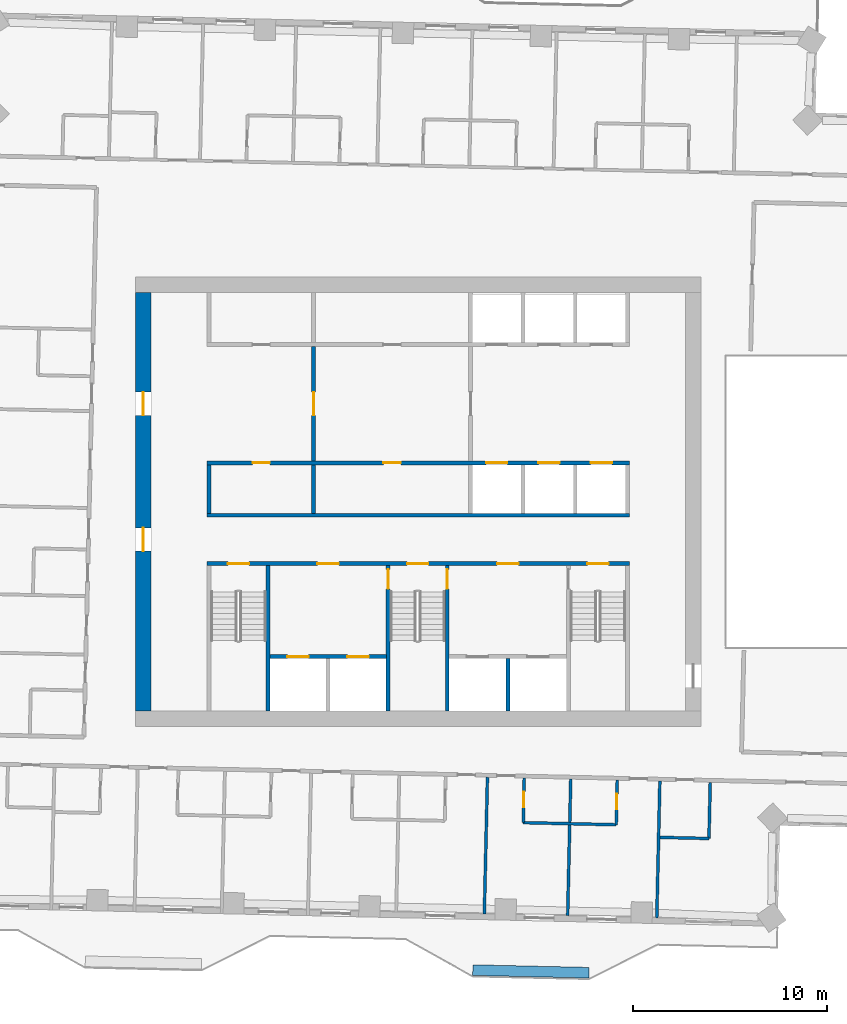
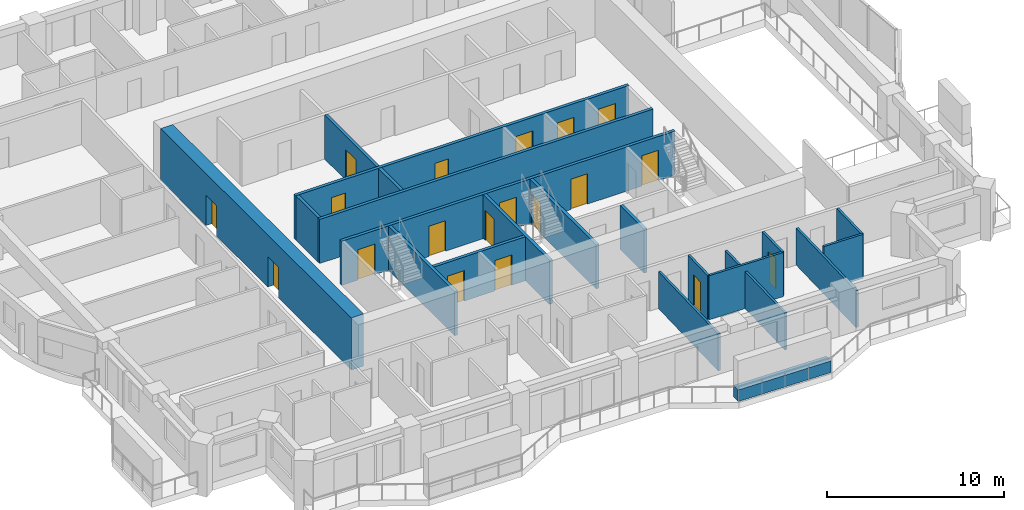
# One storey, part 6 of 14: 21 walls, 19 doors, 19 openings.
"""IFC4 building model written with IfcOpenShell, lengths in metres."""

from ifc_helpers import new_model, si_unit, direction, frame, frame_2d, origin, place, context, subcontext, project, spatial, rectangle, extrude, material, layer, layer_set, type_object, element, fill, save


model = new_model("IFC4")

# Units and contexts
model_context = context("Model", 3, precision=1e-05, world=origin(), true_north=direction((0.0, 1.0)))
body_context = subcontext(model_context, "Body", "Model", "MODEL_VIEW")
ifc_project = project(units=[si_unit("LENGTHUNIT", "METRE"), si_unit("AREAUNIT", "SQUARE_METRE"), si_unit("VOLUMEUNIT", "CUBIC_METRE"), si_unit("PLANEANGLEUNIT", "RADIAN"), si_unit("MASSUNIT", "GRAM", prefix="KILO")], contexts=[model_context])

# Site, building, storey
site_placement = place(None, origin())
site = spatial("IfcSite", under=ifc_project, at=site_placement, CompositionType="ELEMENT")
building_placement = place(site_placement, origin())
building = spatial("IfcBuilding", under=site, at=building_placement, Name="Mangrove Gate Tower", CompositionType="ELEMENT")
storey_placement = place(building_placement, frame((0.0, 0.0, 208.699951171875)))
storey = spatial("IfcBuildingStorey", under=building, at=storey_placement, Name="L53", CompositionType="ELEMENT", Elevation=208.699951171875)

# Wall, opening, door
ifc_material_1 = material(Name="Concrete C32/40", Category="concrete")
ifc_layer_1 = layer(ifc_material_1, 0.199951171875)
ifc_layer_set_1 = layer_set([ifc_layer_1], Name="Core lobby wall 200 C32/40")
wall_type_1 = type_object("IfcWallType", Name="Core lobby wall 200 C32/40", PredefinedType="STANDARD", material=ifc_layer_set_1)
wall_1_placement = place(storey_placement, frame((-5.39990234375, 2.10009765625, 0.0), z_axis=(0.0, 0.0, 1.0), x_axis=(0.0, 1.0, 0.0)))
wall_1 = element("IfcWall", 1, at=wall_1_placement, inside=storey, type_object=wall_type_1, Name="WALL-L53-CORE-31", PredefinedType="STANDARD", context=body_context, shape_type="SweptSolid", body=[
    extrude(rectangle(XDim=5.89990234375, YDim=0.199951171875, at=frame_2d((2.949951171875, 0.0))), origin(), (0.0, 0.0, 1.0), 3.050048828125),
])
opening_1_placement = place(wall_1_placement, frame((2.35009765625, 0.0, 0.0)))
opening_1 = element("IfcOpeningElement", 2, at=opening_1_placement, cuts=wall_1, Name="Opening FL12", PredefinedType="OPENING", context=body_context, shape_type="SweptSolid", body=[
    extrude(rectangle(XDim=1.199951171875, YDim=2.10009765625, at=frame_2d((0.60009765625, 1.050048828125))), frame((0.0, 0.10986328125, 0.0), z_axis=(0.0, -1.0, 0.0), x_axis=(1.0, 0.0, 0.0)), (0.0, 0.0, 1.0), 0.219970703125),
])
ifc_material_2 = material(Name="Fire-rated steel door set", Category="steel")
door_type_1 = type_object("IfcDoorType", Name="Lobby door FD60 1200x2100", OperationType="SINGLE_SWING_LEFT", PredefinedType="DOOR", material=ifc_material_2)
door_1_placement = place(opening_1_placement, origin())
door_1 = element("IfcDoor", 3, at=door_1_placement, inside=storey, type_object=door_type_1, Name="Lobby door lift lobby partition", OperationType="SINGLE_SWING_LEFT", OverallHeight=2.10009765625, OverallWidth=1.199951171875, PredefinedType="DOOR", context=body_context, shape_type="SweptSolid", body=[
    extrude(rectangle(XDim=1.199951171875, YDim=2.10009765625, at=frame_2d((0.60009765625, 1.050048828125))), frame((0.0, 0.02490234375, 0.0), z_axis=(0.0, -1.0, 0.0), x_axis=(1.0, 0.0, 0.0)), (0.0, 0.0, 1.0), 0.050048828125),
])
fill(opening_1, door_1)

# Walls
ifc_material_3 = material(Name="Concrete C32/40", Category="concrete")
ifc_layer_2 = layer(ifc_material_3, 0.199951171875)
ifc_layer_set_2 = layer_set([ifc_layer_2], Name="Core room wall 200 C32/40")
wall_type_2 = type_object("IfcWallType", Name="Core room wall 200 C32/40", PredefinedType="STANDARD", material=ifc_layer_set_2)
for number, where, z_axis, x_axis, name in (
    (4, (-10.800048828125, -0.60009765625, 0.0), (0.0, 0.0, 1.0), (0.0, 1.0, 0.0), "WALL-L53-CORE-19"),
    (5, (-5.39990234375, -0.60009765625, 0.0), (0.0, 0.0, 1.0), (0.0, 1.0, 0.0), "WALL-L53-CORE-20"),
):
    element("IfcWall", number, at=place(storey_placement, frame(where, z_axis=z_axis, x_axis=x_axis)), inside=storey, type_object=wall_type_2, Name=name, PredefinedType="STANDARD", context=body_context, shape_type="SweptSolid", body=[
        extrude(rectangle(XDim=2.5, YDim=0.199951171875, at=frame_2d((1.25, 0.0))), origin(), (0.0, 0.0, 1.0), 3.050048828125),
    ])
ifc_material_4 = material(Name="Concrete C60/75", Category="concrete")
ifc_layer_3 = layer(ifc_material_4, 0.199951171875)
ifc_layer_set_3 = layer_set([ifc_layer_3], Name="Core shaft wall 200 C60/75")
wall_type_3 = type_object("IfcWallType", Name="Core shaft wall 200 C60/75", PredefinedType="SHEAR", material=ifc_layer_set_3)
wall_2_placement = place(storey_placement, frame((-10.89990234375, -0.699951171875, 0.0), z_axis=(0.0, 0.0, 1.0), x_axis=(1.0, 0.0, 0.0)))
element("IfcWall", 6, at=wall_2_placement, inside=storey, type_object=wall_type_3, Name="WALL-L53-CORE-6", PredefinedType="SHEAR", context=body_context, shape_type="SweptSolid", body=[
    extrude(rectangle(XDim=21.7998046875, YDim=0.199951171875, at=frame_2d((10.89990234375, 0.0))), origin(), (0.0, 0.0, 1.0), 3.050048828125),
])

# Wall, openings, doors
wall_3_placement = place(storey_placement, frame((-10.89990234375, 2.0, 0.0), z_axis=(0.0, 0.0, 1.0), x_axis=(1.0, 0.0, 0.0)))
wall_3 = element("IfcWall", 7, at=wall_3_placement, inside=storey, type_object=wall_type_3, Name="WALL-L53-CORE-7", PredefinedType="SHEAR", context=body_context, shape_type="SweptSolid", body=[
    extrude(rectangle(XDim=21.7998046875, YDim=0.199951171875, at=frame_2d((10.89990234375, 0.0))), origin(), (0.0, 0.0, 1.0), 3.050048828125),
])
opening_2_placement = place(wall_3_placement, frame((14.39990234375, 0.0, 0.0)))
opening_2 = element("IfcOpeningElement", 8, at=opening_2_placement, cuts=wall_3, Name="Opening LD", PredefinedType="OPENING", context=body_context, shape_type="SweptSolid", body=[
    extrude(rectangle(XDim=1.10009765625, YDim=2.10009765625, at=frame_2d((0.550048828125, 1.050048828125))), frame((0.0, 0.10986328125, 0.0), z_axis=(0.0, -1.0, 0.0), x_axis=(1.0, 0.0, 0.0)), (0.0, 0.0, 1.0), 0.219970703125),
])
opening_3_placement = place(wall_3_placement, frame((17.10009765625, 0.0, 0.0)))
opening_3 = element("IfcOpeningElement", 9, at=opening_3_placement, cuts=wall_3, Name="Opening LD", PredefinedType="OPENING", context=body_context, shape_type="SweptSolid", body=[
    extrude(rectangle(XDim=1.10009765625, YDim=2.10009765625, at=frame_2d((0.550048828125, 1.050048828125))), frame((0.0, 0.10986328125, 0.0), z_axis=(0.0, -1.0, 0.0), x_axis=(1.0, 0.0, 0.0)), (0.0, 0.0, 1.0), 0.219970703125),
])
opening_4_placement = place(wall_3_placement, frame((19.800048828125, 0.0, 0.0)))
opening_4 = element("IfcOpeningElement", 10, at=opening_4_placement, cuts=wall_3, Name="Opening LD", PredefinedType="OPENING", context=body_context, shape_type="SweptSolid", body=[
    extrude(rectangle(XDim=1.10009765625, YDim=2.10009765625, at=frame_2d((0.550048828125, 1.050048828125))), frame((0.0, 0.10986328125, 0.0), z_axis=(0.0, -1.0, 0.0), x_axis=(1.0, 0.0, 0.0)), (0.0, 0.0, 1.0), 0.219970703125),
])
opening_5_placement = place(wall_3_placement, frame((2.35009765625, 0.0, 0.0)))
opening_5 = element("IfcOpeningElement", 11, at=opening_5_placement, cuts=wall_3, Name="Opening RD", PredefinedType="OPENING", context=body_context, shape_type="SweptSolid", body=[
    extrude(rectangle(XDim=0.89990234375, YDim=2.10009765625, at=frame_2d((0.449951171875, 1.050048828125))), frame((0.0, 0.10986328125, 0.0), z_axis=(0.0, -1.0, 0.0), x_axis=(1.0, 0.0, 0.0)), (0.0, 0.0, 1.0), 0.219970703125),
])
opening_6_placement = place(wall_3_placement, frame((9.10009765625, 0.0, 0.0)))
opening_6 = element("IfcOpeningElement", 12, at=opening_6_placement, cuts=wall_3, Name="Opening RD", PredefinedType="OPENING", context=body_context, shape_type="SweptSolid", body=[
    extrude(rectangle(XDim=0.89990234375, YDim=2.10009765625, at=frame_2d((0.449951171875, 1.050048828125))), frame((0.0, 0.10986328125, 0.0), z_axis=(0.0, -1.0, 0.0), x_axis=(1.0, 0.0, 0.0)), (0.0, 0.0, 1.0), 0.219970703125),
])
ifc_material_5 = material(Name="Stainless steel 316", Category="steel")
door_type_2 = type_object("IfcDoorType", Name="Lift landing door 1100x2100", OperationType="SLIDING_TO_LEFT", PredefinedType="DOOR", material=ifc_material_5)
door_2_placement = place(opening_2_placement, origin())
door_2 = element("IfcDoor", 13, at=door_2_placement, inside=storey, type_object=door_type_2, Name="Landing door LD M01", OperationType="SLIDING_TO_LEFT", OverallHeight=2.10009765625, OverallWidth=1.10009765625, PredefinedType="DOOR", context=body_context, shape_type="SweptSolid", body=[
    extrude(rectangle(XDim=1.10009765625, YDim=2.10009765625, at=frame_2d((0.550048828125, 1.050048828125))), frame((0.0, 0.02490234375, 0.0), z_axis=(0.0, -1.0, 0.0), x_axis=(1.0, 0.0, 0.0)), (0.0, 0.0, 1.0), 0.050048828125),
])
fill(opening_2, door_2)
door_3_placement = place(opening_3_placement, origin())
door_3 = element("IfcDoor", 14, at=door_3_placement, inside=storey, type_object=door_type_2, Name="Landing door LD M02", OperationType="SLIDING_TO_LEFT", OverallHeight=2.10009765625, OverallWidth=1.10009765625, PredefinedType="DOOR", context=body_context, shape_type="SweptSolid", body=[
    extrude(rectangle(XDim=1.10009765625, YDim=2.10009765625, at=frame_2d((0.550048828125, 1.050048828125))), frame((0.0, 0.02490234375, 0.0), z_axis=(0.0, -1.0, 0.0), x_axis=(1.0, 0.0, 0.0)), (0.0, 0.0, 1.0), 0.050048828125),
])
fill(opening_3, door_3)
door_4_placement = place(opening_4_placement, origin())
door_4 = element("IfcDoor", 15, at=door_4_placement, inside=storey, type_object=door_type_2, Name="Landing door LD M03", OperationType="SLIDING_TO_LEFT", OverallHeight=2.10009765625, OverallWidth=1.10009765625, PredefinedType="DOOR", context=body_context, shape_type="SweptSolid", body=[
    extrude(rectangle(XDim=1.10009765625, YDim=2.10009765625, at=frame_2d((0.550048828125, 1.050048828125))), frame((0.0, 0.02490234375, 0.0), z_axis=(0.0, -1.0, 0.0), x_axis=(1.0, 0.0, 0.0)), (0.0, 0.0, 1.0), 0.050048828125),
])
fill(opening_4, door_4)
ifc_material_6 = material(Name="Fire-rated steel door set", Category="steel")
door_type_3 = type_object("IfcDoorType", Name="Riser door FD30S 900x2100", OperationType="SINGLE_SWING_LEFT", PredefinedType="DOOR", material=ifc_material_6)
door_5_placement = place(opening_5_placement, origin())
door_5 = element("IfcDoor", 16, at=door_5_placement, inside=storey, type_object=door_type_3, Name="Riser door Switch room", OperationType="SINGLE_SWING_LEFT", OverallHeight=2.10009765625, OverallWidth=0.89990234375, PredefinedType="DOOR", context=body_context, shape_type="SweptSolid", body=[
    extrude(rectangle(XDim=0.89990234375, YDim=2.10009765625, at=frame_2d((0.449951171875, 1.050048828125))), frame((0.0, 0.02490234375, 0.0), z_axis=(0.0, -1.0, 0.0), x_axis=(1.0, 0.0, 0.0)), (0.0, 0.0, 1.0), 0.050048828125),
])
fill(opening_5, door_5)
door_6_placement = place(opening_6_placement, origin())
door_6 = element("IfcDoor", 17, at=door_6_placement, inside=storey, type_object=door_type_3, Name="Riser door Comms room", OperationType="SINGLE_SWING_LEFT", OverallHeight=2.10009765625, OverallWidth=0.89990234375, PredefinedType="DOOR", context=body_context, shape_type="SweptSolid", body=[
    extrude(rectangle(XDim=0.89990234375, YDim=2.10009765625, at=frame_2d((0.449951171875, 1.050048828125))), frame((0.0, 0.02490234375, 0.0), z_axis=(0.0, -1.0, 0.0), x_axis=(1.0, 0.0, 0.0)), (0.0, 0.0, 1.0), 0.050048828125),
])
fill(opening_6, door_6)

wall_4_placement = place(storey_placement, frame((-7.64990234375, -8.0, 0.0), z_axis=(0.0, 0.0, 1.0), x_axis=(1.0, 0.0, 0.0)))
wall_4 = element("IfcWall", 18, at=wall_4_placement, inside=storey, type_object=wall_type_3, Name="WALL-L53-CORE-15", PredefinedType="SHEAR", context=body_context, shape_type="SweptSolid", body=[
    extrude(rectangle(XDim=6.0, YDim=0.199951171875, at=frame_2d((3.0, 0.0))), origin(), (0.0, 0.0, 1.0), 3.050048828125),
])
opening_7_placement = place(wall_4_placement, frame((0.89990234375, 0.0, 0.0)))
opening_7 = element("IfcOpeningElement", 19, at=opening_7_placement, cuts=wall_4, Name="Opening LD", PredefinedType="OPENING", context=body_context, shape_type="SweptSolid", body=[
    extrude(rectangle(XDim=1.10009765625, YDim=2.10009765625, at=frame_2d((0.550048828125, 1.050048828125))), frame((0.0, 0.10986328125, 0.0), z_axis=(0.0, -1.0, 0.0), x_axis=(1.0, 0.0, 0.0)), (0.0, 0.0, 1.0), 0.219970703125),
])
opening_8_placement = place(wall_4_placement, frame((4.0, 0.0, 0.0)))
opening_8 = element("IfcOpeningElement", 20, at=opening_8_placement, cuts=wall_4, Name="Opening LD", PredefinedType="OPENING", context=body_context, shape_type="SweptSolid", body=[
    extrude(rectangle(XDim=1.10009765625, YDim=2.10009765625, at=frame_2d((0.550048828125, 1.050048828125))), frame((0.0, 0.10986328125, 0.0), z_axis=(0.0, -1.0, 0.0), x_axis=(1.0, 0.0, 0.0)), (0.0, 0.0, 1.0), 0.219970703125),
])
door_7_placement = place(opening_7_placement, origin())
door_7 = element("IfcDoor", 21, at=door_7_placement, inside=storey, type_object=door_type_2, Name="Landing door LD SVL1", OperationType="SLIDING_TO_LEFT", OverallHeight=2.10009765625, OverallWidth=1.10009765625, PredefinedType="DOOR", context=body_context, shape_type="SweptSolid", body=[
    extrude(rectangle(XDim=1.10009765625, YDim=2.10009765625, at=frame_2d((0.550048828125, 1.050048828125))), frame((0.0, 0.02490234375, 0.0), z_axis=(0.0, -1.0, 0.0), x_axis=(1.0, 0.0, 0.0)), (0.0, 0.0, 1.0), 0.050048828125),
])
fill(opening_7, door_7)
door_8_placement = place(opening_8_placement, origin())
door_8 = element("IfcDoor", 22, at=door_8_placement, inside=storey, type_object=door_type_2, Name="Landing door LD SVL2", OperationType="SLIDING_TO_LEFT", OverallHeight=2.10009765625, OverallWidth=1.10009765625, PredefinedType="DOOR", context=body_context, shape_type="SweptSolid", body=[
    extrude(rectangle(XDim=1.10009765625, YDim=2.10009765625, at=frame_2d((0.550048828125, 1.050048828125))), frame((0.0, 0.02490234375, 0.0), z_axis=(0.0, -1.0, 0.0), x_axis=(1.0, 0.0, 0.0)), (0.0, 0.0, 1.0), 0.050048828125),
])
fill(opening_8, door_8)

# Wall
wall_5_placement = place(storey_placement, frame((4.625, -10.800048828125, 0.0), z_axis=(0.0, 0.0, 1.0), x_axis=(0.0, 1.0, 0.0)))
element("IfcWall", 23, at=wall_5_placement, inside=storey, type_object=wall_type_3, Name="WALL-L53-CORE-18", PredefinedType="SHEAR", context=body_context, shape_type="SweptSolid", body=[
    extrude(rectangle(XDim=2.699951171875, YDim=0.199951171875, at=frame_2d((1.35009765625, 0.0))), origin(), (0.0, 0.0, 1.0), 3.050048828125),
])

# Wall, openings, doors
ifc_material_7 = material(Name="Concrete C60/75", Category="concrete")
ifc_layer_4 = layer(ifc_material_7, 0.199951171875)
ifc_layer_set_4 = layer_set([ifc_layer_4], Name="Core stair wall 200 C60/75")
wall_type_4 = type_object("IfcWallType", Name="Core stair wall 200 C60/75", PredefinedType="SHEAR", material=ifc_layer_set_4)
wall_6_placement = place(storey_placement, frame((-10.89990234375, -3.199951171875, 0.0), z_axis=(0.0, 0.0, 1.0), x_axis=(1.0, 0.0, 0.0)))
wall_6 = element("IfcWall", 24, at=wall_6_placement, inside=storey, type_object=wall_type_4, Name="WALL-L53-CORE-5", PredefinedType="SHEAR", context=body_context, shape_type="SweptSolid", body=[
    extrude(rectangle(XDim=21.7998046875, YDim=0.199951171875, at=frame_2d((10.89990234375, 0.0))), origin(), (0.0, 0.0, 1.0), 3.050048828125),
])
opening_9_placement = place(wall_6_placement, frame((1.074951171875, 0.0, 0.0)))
opening_9 = element("IfcOpeningElement", 25, at=opening_9_placement, cuts=wall_6, Name="Opening STD11", PredefinedType="OPENING", context=body_context, shape_type="SweptSolid", body=[
    extrude(rectangle(XDim=1.10009765625, YDim=2.10009765625, at=frame_2d((0.550048828125, 1.050048828125))), frame((0.0, 0.10986328125, 0.0), z_axis=(0.0, -1.0, 0.0), x_axis=(1.0, 0.0, 0.0)), (0.0, 0.0, 1.0), 0.219970703125),
])
opening_10_placement = place(wall_6_placement, frame((10.324951171875, 0.0, 0.0)))
opening_10 = element("IfcOpeningElement", 26, at=opening_10_placement, cuts=wall_6, Name="Opening STD11", PredefinedType="OPENING", context=body_context, shape_type="SweptSolid", body=[
    extrude(rectangle(XDim=1.10009765625, YDim=2.10009765625, at=frame_2d((0.550048828125, 1.050048828125))), frame((0.0, 0.10986328125, 0.0), z_axis=(0.0, -1.0, 0.0), x_axis=(1.0, 0.0, 0.0)), (0.0, 0.0, 1.0), 0.219970703125),
])
opening_11_placement = place(wall_6_placement, frame((19.625, 0.0, 0.0)))
opening_11 = element("IfcOpeningElement", 27, at=opening_11_placement, cuts=wall_6, Name="Opening STD11", PredefinedType="OPENING", context=body_context, shape_type="SweptSolid", body=[
    extrude(rectangle(XDim=1.10009765625, YDim=2.10009765625, at=frame_2d((0.550048828125, 1.050048828125))), frame((0.0, 0.10986328125, 0.0), z_axis=(0.0, -1.0, 0.0), x_axis=(1.0, 0.0, 0.0)), (0.0, 0.0, 1.0), 0.219970703125),
])
opening_12_placement = place(wall_6_placement, frame((5.699951171875, 0.0, 0.0)))
opening_12 = element("IfcOpeningElement", 28, at=opening_12_placement, cuts=wall_6, Name="Opening FL", PredefinedType="OPENING", context=body_context, shape_type="SweptSolid", body=[
    extrude(rectangle(XDim=1.10009765625, YDim=2.10009765625, at=frame_2d((0.550048828125, 1.050048828125))), frame((0.0, 0.10986328125, 0.0), z_axis=(0.0, -1.0, 0.0), x_axis=(1.0, 0.0, 0.0)), (0.0, 0.0, 1.0), 0.219970703125),
])
opening_13_placement = place(wall_6_placement, frame((14.97509765625, 0.0, 0.0)))
opening_13 = element("IfcOpeningElement", 29, at=opening_13_placement, cuts=wall_6, Name="Opening FL", PredefinedType="OPENING", context=body_context, shape_type="SweptSolid", body=[
    extrude(rectangle(XDim=1.10009765625, YDim=2.10009765625, at=frame_2d((0.550048828125, 1.050048828125))), frame((0.0, 0.10986328125, 0.0), z_axis=(0.0, -1.0, 0.0), x_axis=(1.0, 0.0, 0.0)), (0.0, 0.0, 1.0), 0.219970703125),
])
ifc_material_8 = material(Name="Fire-rated steel door set", Category="steel")
door_type_4 = type_object("IfcDoorType", Name="Lobby door FD60 1100x2100", OperationType="SINGLE_SWING_LEFT", PredefinedType="DOOR", material=ifc_material_8)
door_9_placement = place(opening_12_placement, origin())
door_9 = element("IfcDoor", 30, at=door_9_placement, inside=storey, type_object=door_type_4, Name="Lobby door service lobby", OperationType="SINGLE_SWING_LEFT", OverallHeight=2.10009765625, OverallWidth=1.10009765625, PredefinedType="DOOR", context=body_context, shape_type="SweptSolid", body=[
    extrude(rectangle(XDim=1.10009765625, YDim=2.10009765625, at=frame_2d((0.550048828125, 1.050048828125))), frame((0.0, 0.02490234375, 0.0), z_axis=(0.0, -1.0, 0.0), x_axis=(1.0, 0.0, 0.0)), (0.0, 0.0, 1.0), 0.050048828125),
])
fill(opening_12, door_9)
door_10_placement = place(opening_13_placement, origin())
door_10 = element("IfcDoor", 31, at=door_10_placement, inside=storey, type_object=door_type_4, Name="Lobby door fire-fighting lobby", OperationType="SINGLE_SWING_LEFT", OverallHeight=2.10009765625, OverallWidth=1.10009765625, PredefinedType="DOOR", context=body_context, shape_type="SweptSolid", body=[
    extrude(rectangle(XDim=1.10009765625, YDim=2.10009765625, at=frame_2d((0.550048828125, 1.050048828125))), frame((0.0, 0.02490234375, 0.0), z_axis=(0.0, -1.0, 0.0), x_axis=(1.0, 0.0, 0.0)), (0.0, 0.0, 1.0), 0.050048828125),
])
fill(opening_13, door_10)
ifc_material_9 = material(Name="Fire-rated steel door set", Category="steel")
door_type_5 = type_object("IfcDoorType", Name="Stair door FD60 1100x2100", OperationType="SINGLE_SWING_RIGHT", PredefinedType="DOOR", material=ifc_material_9)
door_11_placement = place(opening_9_placement, origin())
door_11 = element("IfcDoor", 32, at=door_11_placement, inside=storey, type_object=door_type_5, Name="Stair door Stair 1", OperationType="SINGLE_SWING_RIGHT", OverallHeight=2.10009765625, OverallWidth=1.10009765625, PredefinedType="DOOR", context=body_context, shape_type="SweptSolid", body=[
    extrude(rectangle(XDim=1.10009765625, YDim=2.10009765625, at=frame_2d((0.550048828125, 1.050048828125))), frame((0.0, 0.02490234375, 0.0), z_axis=(0.0, -1.0, 0.0), x_axis=(1.0, 0.0, 0.0)), (0.0, 0.0, 1.0), 0.050048828125),
])
fill(opening_9, door_11)
door_12_placement = place(opening_10_placement, origin())
door_12 = element("IfcDoor", 33, at=door_12_placement, inside=storey, type_object=door_type_5, Name="Stair door Stair 2", OperationType="SINGLE_SWING_RIGHT", OverallHeight=2.10009765625, OverallWidth=1.10009765625, PredefinedType="DOOR", context=body_context, shape_type="SweptSolid", body=[
    extrude(rectangle(XDim=1.10009765625, YDim=2.10009765625, at=frame_2d((0.550048828125, 1.050048828125))), frame((0.0, 0.02490234375, 0.0), z_axis=(0.0, -1.0, 0.0), x_axis=(1.0, 0.0, 0.0)), (0.0, 0.0, 1.0), 0.050048828125),
])
fill(opening_10, door_12)
door_13_placement = place(opening_11_placement, origin())
door_13 = element("IfcDoor", 34, at=door_13_placement, inside=storey, type_object=door_type_5, Name="Stair door Stair 3", OperationType="SINGLE_SWING_RIGHT", OverallHeight=2.10009765625, OverallWidth=1.10009765625, PredefinedType="DOOR", context=body_context, shape_type="SweptSolid", body=[
    extrude(rectangle(XDim=1.10009765625, YDim=2.10009765625, at=frame_2d((0.550048828125, 1.050048828125))), frame((0.0, 0.02490234375, 0.0), z_axis=(0.0, -1.0, 0.0), x_axis=(1.0, 0.0, 0.0)), (0.0, 0.0, 1.0), 0.050048828125),
])
fill(opening_11, door_13)

# Wall
wall_7_placement = place(storey_placement, frame((-7.75, -10.800048828125, 0.0), z_axis=(0.0, 0.0, 1.0), x_axis=(0.0, 1.0, 0.0)))
element("IfcWall", 35, at=wall_7_placement, inside=storey, type_object=wall_type_4, Name="WALL-L53-CORE-10", PredefinedType="SHEAR", context=body_context, shape_type="SweptSolid", body=[
    extrude(rectangle(XDim=7.5, YDim=0.199951171875, at=frame_2d((3.75, 0.0))), origin(), (0.0, 0.0, 1.0), 3.050048828125),
])

# Wall, opening, door
wall_8_placement = place(storey_placement, frame((-1.550048828125, -10.800048828125, 0.0), z_axis=(0.0, 0.0, 1.0), x_axis=(0.0, 1.0, 0.0)))
wall_8 = element("IfcWall", 36, at=wall_8_placement, inside=storey, type_object=wall_type_4, Name="WALL-L53-CORE-11", PredefinedType="SHEAR", context=body_context, shape_type="SweptSolid", body=[
    extrude(rectangle(XDim=7.5, YDim=0.199951171875, at=frame_2d((3.75, 0.0))), origin(), (0.0, 0.0, 1.0), 3.050048828125),
])
opening_14_placement = place(wall_8_placement, frame((6.300048828125, 0.0, 0.0)))
opening_14 = element("IfcOpeningElement", 37, at=opening_14_placement, cuts=wall_8, Name="Opening STD10", PredefinedType="OPENING", context=body_context, shape_type="SweptSolid", body=[
    extrude(rectangle(XDim=1.0, YDim=2.10009765625, at=frame_2d((0.5, 1.050048828125))), frame((0.0, 0.10986328125, 0.0), z_axis=(0.0, -1.0, 0.0), x_axis=(1.0, 0.0, 0.0)), (0.0, 0.0, 1.0), 0.219970703125),
])
ifc_material_10 = material(Name="Fire-rated steel door set", Category="steel")
door_type_6 = type_object("IfcDoorType", Name="Stair door FD60 1000x2100", OperationType="SINGLE_SWING_RIGHT", PredefinedType="DOOR", material=ifc_material_10)
door_14_placement = place(opening_14_placement, origin())
door_14 = element("IfcDoor", 38, at=door_14_placement, inside=storey, type_object=door_type_6, Name="Stair door Stair 2 from service lobby", OperationType="SINGLE_SWING_RIGHT", OverallHeight=2.10009765625, OverallWidth=1.0, PredefinedType="DOOR", context=body_context, shape_type="SweptSolid", body=[
    extrude(rectangle(XDim=1.0, YDim=2.10009765625, at=frame_2d((0.5, 1.050048828125))), frame((0.0, 0.02490234375, 0.0), z_axis=(0.0, -1.0, 0.0), x_axis=(1.0, 0.0, 0.0)), (0.0, 0.0, 1.0), 0.050048828125),
])
fill(opening_14, door_14)

wall_9_placement = place(storey_placement, frame((1.5, -10.800048828125, 0.0), z_axis=(0.0, 0.0, 1.0), x_axis=(0.0, 1.0, 0.0)))
wall_9 = element("IfcWall", 39, at=wall_9_placement, inside=storey, type_object=wall_type_4, Name="WALL-L53-CORE-12", PredefinedType="SHEAR", context=body_context, shape_type="SweptSolid", body=[
    extrude(rectangle(XDim=7.5, YDim=0.199951171875, at=frame_2d((3.75, 0.0))), origin(), (0.0, 0.0, 1.0), 3.050048828125),
])
opening_15_placement = place(wall_9_placement, frame((6.300048828125, 0.0, 0.0)))
opening_15 = element("IfcOpeningElement", 40, at=opening_15_placement, cuts=wall_9, Name="Opening STD10", PredefinedType="OPENING", context=body_context, shape_type="SweptSolid", body=[
    extrude(rectangle(XDim=1.0, YDim=2.10009765625, at=frame_2d((0.5, 1.050048828125))), frame((0.0, 0.10986328125, 0.0), z_axis=(0.0, -1.0, 0.0), x_axis=(1.0, 0.0, 0.0)), (0.0, 0.0, 1.0), 0.219970703125),
])
door_15_placement = place(opening_15_placement, origin())
door_15 = element("IfcDoor", 41, at=door_15_placement, inside=storey, type_object=door_type_6, Name="Stair door Stair 2 from fire-fighting lobby", OperationType="SINGLE_SWING_RIGHT", OverallHeight=2.10009765625, OverallWidth=1.0, PredefinedType="DOOR", context=body_context, shape_type="SweptSolid", body=[
    extrude(rectangle(XDim=1.0, YDim=2.10009765625, at=frame_2d((0.5, 1.050048828125))), frame((0.0, 0.02490234375, 0.0), z_axis=(0.0, -1.0, 0.0), x_axis=(1.0, 0.0, 0.0)), (0.0, 0.0, 1.0), 0.050048828125),
])
fill(opening_15, door_15)

# Wall, openings, doors
ifc_material_11 = material(Name="Concrete C60/75", Category="concrete")
ifc_layer_5 = layer(ifc_material_11, 0.800048828125)
ifc_layer_set_5 = layer_set([ifc_layer_5], Name="Core wall 800 C60/75")
wall_type_5 = type_object("IfcWallType", Name="Core wall 800 C60/75", PredefinedType="SHEAR", material=ifc_layer_set_5)
wall_10_placement = place(storey_placement, frame((-14.199951171875, -10.800048828125, 0.0), z_axis=(0.0, 0.0, 1.0), x_axis=(0.0, 1.0, 0.0)))
wall_10 = element("IfcWall", 42, at=wall_10_placement, inside=storey, type_object=wall_type_5, Name="WALL-L53-CORE-3", PredefinedType="SHEAR", context=body_context, shape_type="SweptSolid", body=[
    extrude(rectangle(XDim=21.60009765625, YDim=0.800048828125, at=frame_2d((10.800048828125, 0.0))), origin(), (0.0, 0.0, 1.0), 3.60009765625),
])
opening_16_placement = place(wall_10_placement, frame((8.25, 0.0, 0.0)))
opening_16 = element("IfcOpeningElement", 43, at=opening_16_placement, cuts=wall_10, Name="Opening CD", PredefinedType="OPENING", context=body_context, shape_type="SweptSolid", body=[
    extrude(rectangle(XDim=1.199951171875, YDim=2.10009765625, at=frame_2d((0.60009765625, 1.050048828125))), frame((0.0, 0.409912109375, 0.0), z_axis=(0.0, -1.0, 0.0), x_axis=(1.0, 0.0, 0.0)), (0.0, 0.0, 1.0), 0.820068359375),
])
opening_17_placement = place(wall_10_placement, frame((15.25, 0.0, 0.0)))
opening_17 = element("IfcOpeningElement", 44, at=opening_17_placement, cuts=wall_10, Name="Opening CD", PredefinedType="OPENING", context=body_context, shape_type="SweptSolid", body=[
    extrude(rectangle(XDim=1.199951171875, YDim=2.10009765625, at=frame_2d((0.60009765625, 1.050048828125))), frame((0.0, 0.409912109375, 0.0), z_axis=(0.0, -1.0, 0.0), x_axis=(1.0, 0.0, 0.0)), (0.0, 0.0, 1.0), 0.820068359375),
])
ifc_material_12 = material(Name="Fire-rated steel door set", Category="steel")
door_type_7 = type_object("IfcDoorType", Name="Core ring door FD60 1200x2100", OperationType="DOUBLE_DOOR_SINGLE_SWING", PredefinedType="DOOR", material=ifc_material_12)
door_16_placement = place(opening_16_placement, origin())
door_16 = element("IfcDoor", 45, at=door_16_placement, inside=storey, type_object=door_type_7, Name="Core ring door W1", OperationType="DOUBLE_DOOR_SINGLE_SWING", OverallHeight=2.10009765625, OverallWidth=1.199951171875, PredefinedType="DOOR", context=body_context, shape_type="SweptSolid", body=[
    extrude(rectangle(XDim=1.199951171875, YDim=2.10009765625, at=frame_2d((0.60009765625, 1.050048828125))), frame((0.0, 0.02490234375, 0.0), z_axis=(0.0, -1.0, 0.0), x_axis=(1.0, 0.0, 0.0)), (0.0, 0.0, 1.0), 0.050048828125),
])
fill(opening_16, door_16)
door_17_placement = place(opening_17_placement, origin())
door_17 = element("IfcDoor", 46, at=door_17_placement, inside=storey, type_object=door_type_7, Name="Core ring door W2", OperationType="DOUBLE_DOOR_SINGLE_SWING", OverallHeight=2.10009765625, OverallWidth=1.199951171875, PredefinedType="DOOR", context=body_context, shape_type="SweptSolid", body=[
    extrude(rectangle(XDim=1.199951171875, YDim=2.10009765625, at=frame_2d((0.60009765625, 1.050048828125))), frame((0.0, 0.02490234375, 0.0), z_axis=(0.0, -1.0, 0.0), x_axis=(1.0, 0.0, 0.0)), (0.0, 0.0, 1.0), 0.050048828125),
])
fill(opening_17, door_17)

# Walls
ifc_material_13 = material(Name="Gypsum board on steel stud, EI 60", Category="steel")
ifc_layer_6 = layer(ifc_material_13, 0.14990234375)
ifc_layer_set_6 = layer_set([ifc_layer_6], Name="Party wall 150 EI 60")
wall_type_6 = type_object("IfcWallType", Name="Party wall 150 EI 60", PredefinedType="PARTITIONING", material=ifc_layer_set_6)
wall_11_placement = place(storey_placement, frame((3.410888671875, -21.27001953125, 0.0), z_axis=(0.0, 0.0, 1.0), x_axis=(0.022714326521, 0.999741996402, 0.0)))
element("IfcWall", 47, at=wall_11_placement, inside=storey, type_object=wall_type_6, Name="WALL-L53-006", PredefinedType="PARTITIONING", context=body_context, shape_type="SweptSolid", body=[
    extrude(rectangle(XDim=7.05078125, YDim=0.14990234375, at=frame_2d((3.525390625, 0.0))), origin(), (0.0, 0.0, 1.0), 2.550048828125),
])
wall_12_placement = place(storey_placement, frame((7.7099609375, -21.366943359375, 0.0), z_axis=(0.0, 0.0, 1.0), x_axis=(0.022718258661, 0.999741907056, 0.0)))
element("IfcWall", 48, at=wall_12_placement, inside=storey, type_object=wall_type_6, Name="WALL-L53-007", PredefinedType="PARTITIONING", context=body_context, shape_type="SweptSolid", body=[
    extrude(rectangle(XDim=7.049560546875, YDim=0.14990234375, at=frame_2d((3.52490234375, 0.0))), origin(), (0.0, 0.0, 1.0), 2.550048828125),
])
wall_13_placement = place(storey_placement, frame((12.30908203125, -21.471923828125, 0.0), z_axis=(0.0, 0.0, 1.0), x_axis=(0.022680503969, 0.999742764285, 0.0)))
element("IfcWall", 49, at=wall_13_placement, inside=storey, type_object=wall_type_6, Name="WALL-L53-008", PredefinedType="PARTITIONING", context=body_context, shape_type="SweptSolid", body=[
    extrude(rectangle(XDim=7.050537109375, YDim=0.14990234375, at=frame_2d((3.525390625, 0.0))), origin(), (0.0, 0.0, 1.0), 2.550048828125),
])
wall_14_placement = place(storey_placement, frame((12.47607421875, -17.323974609375, 0.0), z_axis=(0.0, 0.0, 1.0), x_axis=(0.999735102249, -0.023015762656, 0.0)))
element("IfcWall", 50, at=wall_14_placement, inside=storey, type_object=wall_type_6, Name="WALL-L53-009", PredefinedType="PARTITIONING", context=body_context, shape_type="SweptSolid", body=[
    extrude(rectangle(XDim=2.524658203125, YDim=0.14990234375, at=frame_2d((1.26220703125, 0.0))), origin(), (0.0, 0.0, 1.0), 3.050048828125),
])
wall_15_placement = place(storey_placement, frame((15.001953125, -17.382080078125, 0.0), z_axis=(0.0, 0.0, 1.0), x_axis=(0.022807433839, 0.999739876649, 0.0)))
element("IfcWall", 51, at=wall_15_placement, inside=storey, type_object=wall_type_6, Name="WALL-L53-010", PredefinedType="PARTITIONING", context=body_context, shape_type="SweptSolid", body=[
    extrude(rectangle(XDim=2.90087890625, YDim=0.14990234375, at=frame_2d((1.450439453125, 0.0))), origin(), (0.0, 0.0, 1.0), 3.050048828125),
])
wall_16_placement = place(storey_placement, frame((5.4169921875, -16.56396484375, 0.0), z_axis=(0.0, 0.0, 1.0), x_axis=(0.999741441463, -0.022738738327, 0.0)))
element("IfcWall", 52, at=wall_16_placement, inside=storey, type_object=wall_type_6, Name="WALL-L53-019", PredefinedType="PARTITIONING", context=body_context, shape_type="SweptSolid", body=[
    extrude(rectangle(XDim=4.79931640625, YDim=0.14990234375, at=frame_2d((2.399658203125, 0.0))), origin(), (0.0, 0.0, 1.0), 3.050048828125),
])

# Wall, opening, door
wall_17_placement = place(storey_placement, frame((5.4189453125, -16.56396484375, 0.0), z_axis=(0.0, 0.0, 1.0), x_axis=(0.022612884682, 0.999744296031, 0.0)))
wall_17 = element("IfcWall", 53, at=wall_17_placement, inside=storey, type_object=wall_type_6, Name="WALL-L53-020", PredefinedType="PARTITIONING", context=body_context, shape_type="SweptSolid", body=[
    extrude(rectangle(XDim=2.299560546875, YDim=0.14990234375, at=frame_2d((1.14990234375, 0.0))), origin(), (0.0, 0.0, 1.0), 3.050048828125),
])
opening_18_placement = place(wall_17_placement, frame((0.800048828125, 0.0, 0.0)))
opening_18 = element("IfcOpeningElement", 54, at=opening_18_placement, cuts=wall_17, Name="Opening ED", PredefinedType="OPENING", context=body_context, shape_type="SweptSolid", body=[
    extrude(rectangle(XDim=0.800048828125, YDim=2.10009765625, at=frame_2d((0.39990234375, 1.050048828125))), frame((0.0, 0.0849609375, 0.0), z_axis=(0.0, -1.0, 0.0), x_axis=(1.0, 0.0, 0.0)), (0.0, 0.0, 1.0), 0.169921875),
])
ifc_material_14 = material(Name="Timber door leaf", Category="wood")
door_type_8 = type_object("IfcDoorType", Name="En-suite door 800", OperationType="SINGLE_SWING_LEFT", PredefinedType="DOOR", material=ifc_material_14)
door_18_placement = place(opening_18_placement, origin())
door_18 = element("IfcDoor", 55, at=door_18_placement, inside=storey, type_object=door_type_8, Name="DOOR-L53-ENS-c206", OperationType="SINGLE_SWING_RIGHT", OverallHeight=2.10009765625, OverallWidth=0.800048828125, PredefinedType="DOOR", context=body_context, shape_type="SweptSolid", body=[
    extrude(rectangle(XDim=0.800048828125, YDim=2.10009765625, at=frame_2d((0.39990234375, 1.050048828125))), frame((0.0, 0.02490234375, 0.0), z_axis=(0.0, -1.0, 0.0), x_axis=(1.0, 0.0, 0.0)), (0.0, 0.0, 1.0), 0.050048828125),
])
fill(opening_18, door_18)

wall_18_placement = place(storey_placement, frame((10.217041015625, -16.673095703125, 0.0), z_axis=(0.0, 0.0, 1.0), x_axis=(0.023027540424, 0.999734831034, 0.0)))
wall_18 = element("IfcWall", 56, at=wall_18_placement, inside=storey, type_object=wall_type_6, Name="WALL-L53-021", PredefinedType="PARTITIONING", context=body_context, shape_type="SweptSolid", body=[
    extrude(rectangle(XDim=2.300537109375, YDim=0.14990234375, at=frame_2d((1.150390625, 0.0))), origin(), (0.0, 0.0, 1.0), 3.050048828125),
])
opening_19_placement = place(wall_18_placement, frame((0.800048828125, 0.0, 0.0)))
opening_19 = element("IfcOpeningElement", 57, at=opening_19_placement, cuts=wall_18, Name="Opening ED", PredefinedType="OPENING", context=body_context, shape_type="SweptSolid", body=[
    extrude(rectangle(XDim=0.800048828125, YDim=2.10009765625, at=frame_2d((0.39990234375, 1.050048828125))), frame((0.0, 0.0849609375, 0.0), z_axis=(0.0, -1.0, 0.0), x_axis=(1.0, 0.0, 0.0)), (0.0, 0.0, 1.0), 0.169921875),
])
door_19_placement = place(opening_19_placement, origin())
door_19 = element("IfcDoor", 58, at=door_19_placement, inside=storey, type_object=door_type_8, Name="DOOR-L53-ENS-c307", OperationType="SINGLE_SWING_LEFT", OverallHeight=2.10009765625, OverallWidth=0.800048828125, PredefinedType="DOOR", context=body_context, shape_type="SweptSolid", body=[
    extrude(rectangle(XDim=0.800048828125, YDim=2.10009765625, at=frame_2d((0.39990234375, 1.050048828125))), frame((0.0, 0.02490234375, 0.0), z_axis=(0.0, -1.0, 0.0), x_axis=(1.0, 0.0, 0.0)), (0.0, 0.0, 1.0), 0.050048828125),
])
fill(opening_19, door_19)

# Wall
ifc_material_15 = material(Name="Concrete C32/40", Category="concrete")
ifc_layer_7 = layer(ifc_material_15, 0.199951171875, Name="Planter trough wall")
ifc_material_16 = material(Name="Bituminous waterproofing membrane")
ifc_layer_8 = layer(ifc_material_16, 0.0048828125, Name="Waterproofing")
ifc_material_17 = material(Name="Drainage board and gravel")
ifc_layer_9 = layer(ifc_material_17, 0.044921875, Name="Drainage layer")
ifc_material_18 = material(Name="Planting soil")
ifc_layer_10 = layer(ifc_material_18, 0.300048828125, Name="Growing medium")
ifc_layer_set_7 = layer_set([ifc_layer_7, ifc_layer_8, ifc_layer_9, ifc_layer_10], Name="Planter wall 550 C32/40")
wall_type_7 = type_object("IfcWallType", Name="Planter wall 550 C32/40", PredefinedType="USERDEFINED", material=ifc_layer_set_7)
wall_19_placement = place(storey_placement, frame((2.81494140625, -24.172119140625, 0.0), z_axis=(0.0, 0.0, 1.0), x_axis=(0.999743094499, -0.022665943652, 0.0)))
element("IfcWall", 59, at=wall_19_placement, inside=storey, type_object=wall_type_7, Name="PLANTER L53 S1.1", ObjectType="PLANTER", PredefinedType="USERDEFINED", context=body_context, shape_type="SweptSolid", body=[
    extrude(rectangle(XDim=5.99951171875, YDim=0.550048828125, at=frame_2d((2.999755859375, 0.0))), origin(), (0.0, 0.0, 1.0), 0.800048828125),
])

save(model, "model.ifc")
